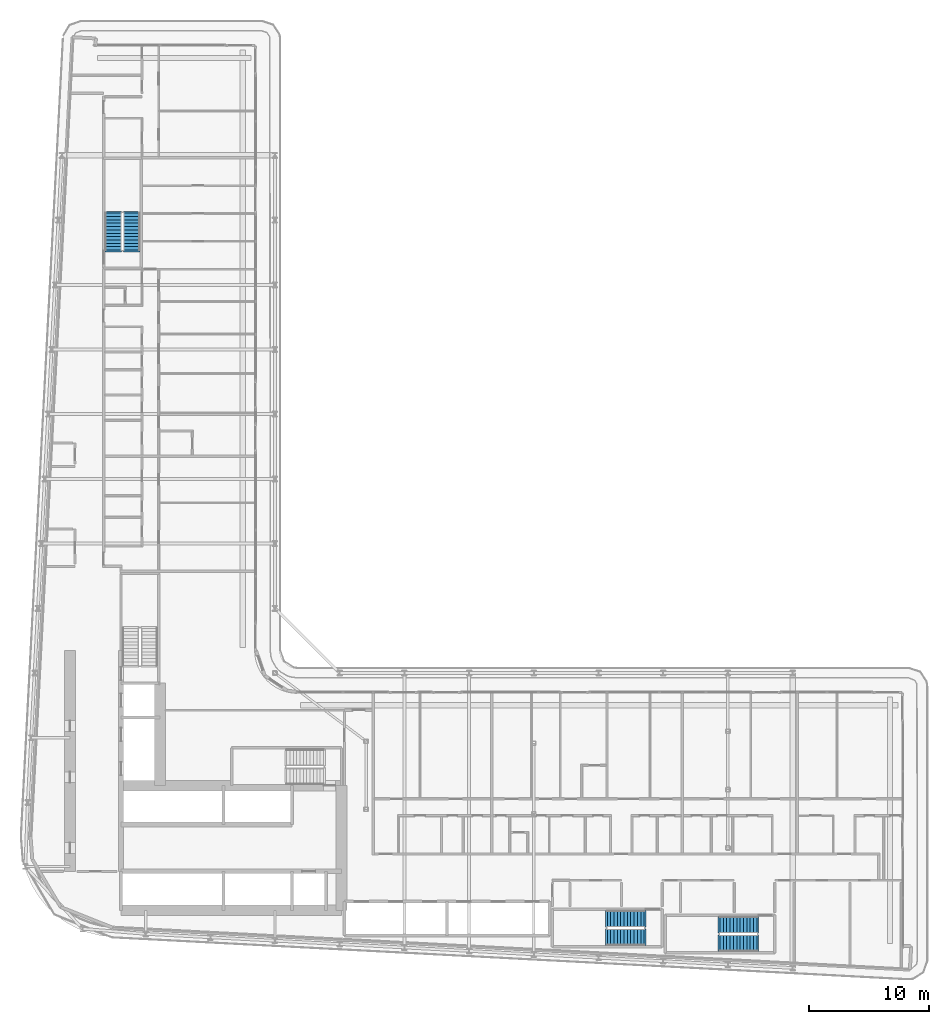
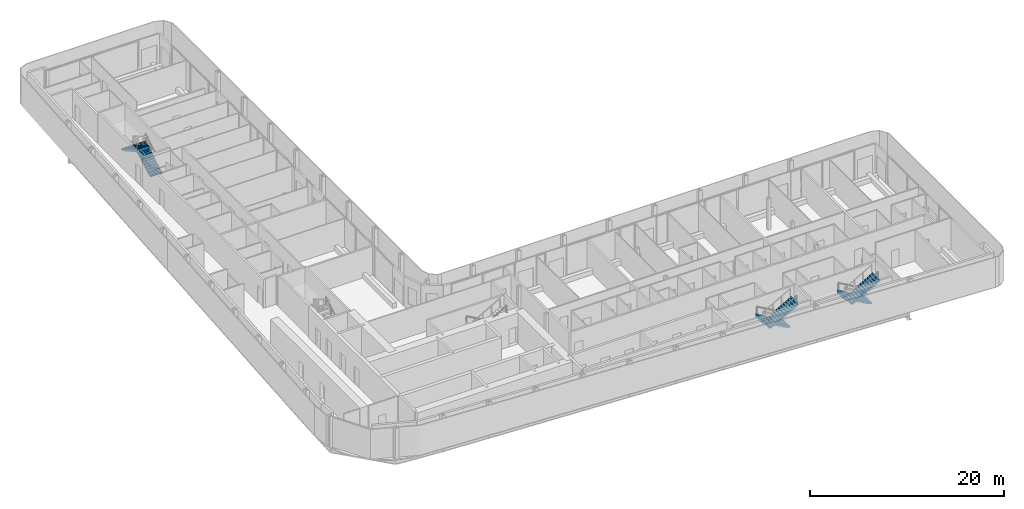
# One storey, part 21 of 28: 6 stair flights, 3 elements without a shape of their own.
"""IFC4 building model written with IfcOpenShell, lengths in metres."""

import ifcopenshell
import ifcopenshell.guid

model = None  # the IFC model being written
_history = None  # IfcOwnerHistory: only IFC2X3 demands one
_inside = {}  # id of a spatial element -> (the spatial element, [elements in it])
_under = {}  # id of a project, library or spatial element -> (it, [spatial elements below it])
_declared = {}  # id of a project -> (the project, [libraries it declares])
_typed = {}  # id of a type object -> (the type object, [elements of that type])
_made_of = {}  # id of a material, layer set ... -> (it, [elements and type objects made of it])


def new_model(schema):
    """Start an empty IFC model of exactly this schema.

    Asked for "IFC4X3", IfcOpenShell would pick the latest addendum, in which some entities
    have other attributes; the version numbers below select the first issue.
    IFC2X3 requires an IfcOwnerHistory on every rooted entity: one is made here for all.
    """
    global model, _history
    if schema == "IFC4X3":
        model = ifcopenshell.file(schema_version=(4, 3, 0, 0))
    else:
        model = ifcopenshell.file(schema=schema)
    _inside.clear()
    _under.clear()
    _declared.clear()
    _typed.clear()
    _made_of.clear()
    _history = None
    if model.schema == "IFC2X3":
        org = make("IfcOrganization", Name="unknown")
        user = make(
            "IfcPersonAndOrganization",
            ThePerson=make("IfcPerson", FamilyName="unknown"),
            TheOrganization=org,
        )
        app = make(
            "IfcApplication",
            ApplicationDeveloper=org,
            Version="unknown",
            ApplicationFullName="unknown",
            ApplicationIdentifier="unknown",
        )
        _history = make(
            "IfcOwnerHistory",
            OwningUser=user,
            OwningApplication=app,
            ChangeAction="ADDED",
            CreationDate=0,
        )
    return model


def make(cls, **values):
    """One entity of the class cls with the attributes given. An attribute that is None is left unset."""
    return model.create_entity(
        cls, **{name: value for name, value in values.items() if value is not None}
    )


def rooted(cls, **values):
    """An entity with a GlobalId (a new one), such as an element, a storey or a relation."""
    return make(cls, GlobalId=ifcopenshell.guid.new(), OwnerHistory=_history, **values)


def si_unit(unit_type, name, prefix=None):
    """IfcSIUnit, for example si_unit("LENGTHUNIT", "METRE", prefix="MILLI")."""
    return make("IfcSIUnit", UnitType=unit_type, Prefix=prefix, Name=name)


def assignment(units):
    """IfcUnitAssignment: the units of a project."""
    return None if units is None else make("IfcUnitAssignment", Units=units)


def point(xyz):
    """IfcCartesianPoint."""
    return None if xyz is None else make("IfcCartesianPoint", Coordinates=xyz)


def direction(xyz):
    """IfcDirection."""
    return None if xyz is None else make("IfcDirection", DirectionRatios=xyz)


def frame(location, z_axis=None, x_axis=None):
    """IfcAxis2Placement3D, a coordinate frame: its origin and axes. An axis left out is left unset."""
    return make(
        "IfcAxis2Placement3D",
        Location=point(location),
        Axis=direction(z_axis),
        RefDirection=direction(x_axis),
    )


def origin():
    """The frame at (0, 0, 0) with its axes left unset."""
    return frame((0.0, 0.0, 0.0))


def place(relative_to, where):
    """IfcLocalPlacement: puts the frame where relative to a parent placement (None: the world)."""
    return make(
        "IfcLocalPlacement", PlacementRelTo=relative_to, RelativePlacement=where
    )


def context(
    kind, dimensions, precision=None, world=None, true_north=None, identifier=None
):
    """IfcGeometricRepresentationContext, for example the 3D "Model" context."""
    return make(
        "IfcGeometricRepresentationContext",
        ContextIdentifier=identifier,
        ContextType=kind,
        CoordinateSpaceDimension=dimensions,
        Precision=precision,
        WorldCoordinateSystem=world,
        TrueNorth=true_north,
    )


def subcontext(parent, identifier, kind, view, scale=None):
    """IfcGeometricRepresentationSubContext, for example "Body" below "Model"."""
    return make(
        "IfcGeometricRepresentationSubContext",
        ContextIdentifier=identifier,
        ContextType=kind,
        ParentContext=parent,
        TargetScale=scale,
        TargetView=view,
    )


def project(units=None, contexts=None):
    """IfcProject with its units and contexts."""
    return rooted(
        "IfcProject",
        Name="project",
        RepresentationContexts=contexts,
        UnitsInContext=assignment(units),
    )


def spatial(cls, under=None, at=None, **own):
    """A site, building, storey or space (cls), placed at a placement, below another one or the project."""
    s = rooted(cls, ObjectPlacement=at, **own)
    if under is not None:
        _under.setdefault(under.id(), (under, []))[1].append(s)
    return s


def polyline(points):
    """IfcPolyline through the points."""
    return make("IfcPolyline", Points=[point(p) for p in points])


def outline(outer, holes=None, kind="AREA"):
    """IfcArbitraryClosedProfileDef: a profile drawn as a closed curve; with holes, ...WithVoids."""
    if holes is None:
        return make("IfcArbitraryClosedProfileDef", ProfileType=kind, OuterCurve=outer)
    return make(
        "IfcArbitraryProfileDefWithVoids",
        ProfileType=kind,
        OuterCurve=outer,
        InnerCurves=holes,
    )


def extrude(swept, where, along, depth):
    """IfcExtrudedAreaSolid: the profile swept, set in the frame where, extruded along a direction by depth."""
    return make(
        "IfcExtrudedAreaSolid",
        SweptArea=swept,
        Position=where,
        ExtrudedDirection=direction(along),
        Depth=depth,
    )


def shape(context_of_items, identifier, shape_type, items):
    """IfcShapeRepresentation: the items that make up one representation, for example the "Body"."""
    return make(
        "IfcShapeRepresentation",
        ContextOfItems=context_of_items,
        RepresentationIdentifier=identifier,
        RepresentationType=shape_type,
        Items=items,
    )


def material(Name=None, Category=None):
    """IfcMaterial."""
    return make("IfcMaterial", Name=Name, Category=Category)


def layer(
    of_material, thickness, ventilated=None, Name=None, Category=None, Priority=None
):
    """IfcMaterialLayer: one layer of a wall or slab, of a material (None: an air gap)."""
    return make(
        "IfcMaterialLayer",
        Material=of_material,
        LayerThickness=thickness,
        IsVentilated=ventilated,
        Name=Name,
        Category=Category,
        Priority=Priority,
    )


def layer_set(layers, Name=None):
    """IfcMaterialLayerSet."""
    return make("IfcMaterialLayerSet", MaterialLayers=layers, LayerSetName=Name)


def made_of(thing, what):
    """Note that an element or type object is made of a material, layer set ...; save() writes the relation."""
    if what is not None:
        _made_of.setdefault(what.id(), (what, []))[1].append(thing)
    return thing


def type_object(cls, material=None, **own):
    """A type object (cls), such as IfcWallType, which elements share."""
    return made_of(rooted(cls, **own), material)


def element(
    cls,
    number,
    at=None,
    inside=None,
    cuts=None,
    type_object=None,
    material=None,
    context=None,
    identifier="Body",
    shape_type=None,
    held_by="IfcProductDefinitionShape",
    body=None,
    shapes=None,
    **own,
):
    """One element of the class cls, such as IfcWall. Its Tag is "e" and its number.

    at: its placement. inside: the storey or other place that contains it. cuts: it is an
    opening in that element (IfcRelVoidsElement). A single representation is given by context,
    identifier, shape_type and body (its items); several are given by shapes. held_by: the class
    of the entity that holds the representations. save() writes the other relations.
    """
    e = rooted(cls, Tag="e%d" % number, ObjectPlacement=at, **own)
    if body is not None:
        shapes = [shape(context, identifier, shape_type, body)]
    if shapes is not None:
        e.Representation = make(held_by, Representations=shapes)
    if inside is not None:
        _inside.setdefault(inside.id(), (inside, []))[1].append(e)
    if cuts is not None:
        rooted(
            "IfcRelVoidsElement", RelatingBuildingElement=cuts, RelatedOpeningElement=e
        )
    if type_object is not None:
        _typed.setdefault(type_object.id(), (type_object, []))[1].append(e)
    return made_of(e, material)


def aggregate(whole, parts):
    """IfcRelAggregates: a whole, such as a stair, and the parts it consists of."""
    return rooted("IfcRelAggregates", RelatingObject=whole, RelatedObjects=parts)


def save(model, path):
    """Write the relations noted so far, then the file.

    IfcRelAggregates (storeys below a building ...), IfcRelContainedInSpatialStructure (elements
    in a storey), IfcRelDefinesByType, IfcRelAssociatesMaterial and IfcRelDeclares: one each for
    every whole, place, type object, material and project.
    """
    for whole, parts in _under.values():
        aggregate(whole, parts)
    for where, things in _inside.values():
        rooted(
            "IfcRelContainedInSpatialStructure",
            RelatedElements=things,
            RelatingStructure=where,
        )
    for kind, things in _typed.values():
        rooted("IfcRelDefinesByType", RelatedObjects=things, RelatingType=kind)
    for what, things in _made_of.values():
        rooted("IfcRelAssociatesMaterial", RelatedObjects=things, RelatingMaterial=what)
    for by, libraries in _declared.values():
        rooted("IfcRelDeclares", RelatingContext=by, RelatedDefinitions=libraries)
    model.write(path)


model = new_model("IFC4")

# Units and contexts
model_context = context("Model", 3, precision=1e-05, world=origin(), true_north=direction((0.0, 1.0)))
body_context = subcontext(model_context, "Body", "Model", "MODEL_VIEW")
ifc_project = project(units=[si_unit("LENGTHUNIT", "METRE"), si_unit("AREAUNIT", "SQUARE_METRE"), si_unit("VOLUMEUNIT", "CUBIC_METRE"), si_unit("PLANEANGLEUNIT", "RADIAN"), si_unit("MASSUNIT", "GRAM", prefix="KILO")], contexts=[model_context])

# Site, building, storey
site_placement = place(None, origin())
site = spatial("IfcSite", under=ifc_project, at=site_placement, CompositionType="ELEMENT")
building_placement = place(site_placement, origin())
building = spatial("IfcBuilding", under=site, at=building_placement, Name="Kheshtan School and Residences Tower", CompositionType="ELEMENT")
storey_placement = place(building_placement, frame((0.0, 0.0, 133.10009765625)))
storey = spatial("IfcBuildingStorey", under=building, at=storey_placement, Name="L31", CompositionType="ELEMENT", Elevation=133.10009765625)

# Stair, stair flights
ifc_material = material(Name="Concrete C40/50", Category="concrete")
stair_type = type_object("IfcStairType", Name="Exit stair, half-turn", PredefinedType="HALF_TURN_STAIR", material=ifc_material)
stair_1_placement = place(storey_placement, origin())
stair_1 = element("IfcStair", 1, at=stair_1_placement, inside=storey, type_object=stair_type, Name="L31 Protected Exit Stair ST3", PredefinedType="HALF_TURN_STAIR")
ifc_layer = layer(ifc_material, 0.14990234375)
ifc_layer_set = layer_set([ifc_layer], Name="Stair flight 1400 Concrete C40/50")
stair_flight_type = type_object("IfcStairFlightType", Name="Stair flight 1400 Concrete C40/50", PredefinedType="STRAIGHT", material=ifc_layer_set)
stair_flight_1_placement = place(storey_placement, frame((35.64990234375, 80.89990234375, 0.0), z_axis=(0.0, 0.0, 1.0), x_axis=(0.0, 1.0, 0.0)))
stair_flight_1 = element("IfcStairFlight", 2, at=stair_flight_1_placement, type_object=stair_flight_type, Name="ST3 flight 1", NumberOfRisers=12, NumberOfTreads=11, PredefinedType="STRAIGHT", RiserHeight=0.1625, TreadLength=0.28, context=body_context, shape_type="SweptSolid", body=[
    extrude(outline(polyline([(-0.14990234375, -0.10009765625), (-0.14990234375, 0.0), (0.0, 0.0), (0.0, 0.16259765625), (0.280029296875, 0.16259765625), (0.280029296875, 0.324951171875), (0.56005859375, 0.324951171875), (0.56005859375, 0.487548828125), (0.840087890625, 0.487548828125), (0.840087890625, 0.64990234375), (1.1201171875, 0.64990234375), (1.1201171875, 0.8125), (1.39990234375, 0.8125), (1.39990234375, 0.97509765625), (1.679931640625, 0.97509765625), (1.679931640625, 1.137451171875), (1.9599609375, 1.137451171875), (1.9599609375, 1.300048828125), (2.239990234375, 1.300048828125), (2.239990234375, 1.46240234375), (2.52001953125, 1.46240234375), (2.52001953125, 1.625), (2.800048828125, 1.625), (2.800048828125, 1.78759765625), (3.080078125, 1.78759765625), (3.080078125, 1.949951171875), (3.080078125, 1.969970703125), (3.22998046875, 1.969970703125), (3.22998046875, 1.6142578125), (0.298583984375, 0.0), (-0.14990234375, -0.10009765625)])), frame((0.0, 0.699951171875, 0.0), z_axis=(0.0, -1.0, 0.0), x_axis=(1.0, 0.0, 0.0)), (0.0, 0.0, 1.0), 1.39990234375),
])
stair_flight_2_placement = place(storey_placement, frame((34.10009765625, 83.97998046875, 1.949951171875), z_axis=(0.0, 0.0, 1.0), x_axis=(0.0, -1.0, 0.0)))
stair_flight_2 = element("IfcStairFlight", 3, at=stair_flight_2_placement, type_object=stair_flight_type, Name="ST3 flight 2", NumberOfRisers=12, NumberOfTreads=11, PredefinedType="STRAIGHT", RiserHeight=0.1625, TreadLength=0.28, context=body_context, shape_type="SweptSolid", body=[
    extrude(outline(polyline([(-0.14990234375, -0.10009765625), (-0.14990234375, 0.0), (0.0, 0.0), (0.0, 0.16259765625), (0.280029296875, 0.16259765625), (0.280029296875, 0.324951171875), (0.56005859375, 0.324951171875), (0.56005859375, 0.487548828125), (0.840087890625, 0.487548828125), (0.840087890625, 0.64990234375), (1.1201171875, 0.64990234375), (1.1201171875, 0.8125), (1.39990234375, 0.8125), (1.39990234375, 0.97509765625), (1.679931640625, 0.97509765625), (1.679931640625, 1.137451171875), (1.9599609375, 1.137451171875), (1.9599609375, 1.300048828125), (2.239990234375, 1.300048828125), (2.239990234375, 1.46240234375), (2.52001953125, 1.46240234375), (2.52001953125, 1.625), (2.800048828125, 1.625), (2.800048828125, 1.78759765625), (3.080078125, 1.78759765625), (3.080078125, 1.949951171875), (3.080078125, 1.969970703125), (3.22998046875, 1.969970703125), (3.22998046875, 1.6142578125), (0.298583984375, 0.0), (-0.14990234375, -0.10009765625)])), frame((0.0, 0.699951171875, 0.0), z_axis=(0.0, -1.0, 0.0), x_axis=(1.0, 0.0, 0.0)), (0.0, 0.0, 1.0), 1.39990234375),
])
aggregate(stair_1, [stair_flight_1, stair_flight_2])

stair_2_placement = place(storey_placement, origin())
stair_2 = element("IfcStair", 4, at=stair_2_placement, inside=storey, type_object=stair_type, Name="L31 Protected Exit Stair ST4", PredefinedType="HALF_TURN_STAIR")
stair_flight_3_placement = place(storey_placement, frame((87.820068359375, 24.60009765625, 0.0), z_axis=(0.0, 0.0, 1.0), x_axis=(-1.0, 0.0, 0.0)))
stair_flight_3 = element("IfcStairFlight", 5, at=stair_flight_3_placement, type_object=stair_flight_type, Name="ST4 flight 1", NumberOfRisers=12, NumberOfTreads=11, PredefinedType="STRAIGHT", RiserHeight=0.1625, TreadLength=0.28, context=body_context, shape_type="SweptSolid", body=[
    extrude(outline(polyline([(-0.14990234375, -0.10009765625), (-0.14990234375, 0.0), (0.0, 0.0), (0.0, 0.16259765625), (0.280029296875, 0.16259765625), (0.280029296875, 0.324951171875), (0.56005859375, 0.324951171875), (0.56005859375, 0.487548828125), (0.840087890625, 0.487548828125), (0.840087890625, 0.64990234375), (1.1201171875, 0.64990234375), (1.1201171875, 0.8125), (1.39990234375, 0.8125), (1.39990234375, 0.97509765625), (1.679931640625, 0.97509765625), (1.679931640625, 1.137451171875), (1.9599609375, 1.137451171875), (1.9599609375, 1.300048828125), (2.239990234375, 1.300048828125), (2.239990234375, 1.46240234375), (2.52001953125, 1.46240234375), (2.52001953125, 1.625), (2.800048828125, 1.625), (2.800048828125, 1.78759765625), (3.080078125, 1.78759765625), (3.080078125, 1.949951171875), (3.080078125, 1.969970703125), (3.22998046875, 1.969970703125), (3.22998046875, 1.6142578125), (0.298583984375, 0.0), (-0.14990234375, -0.10009765625)])), frame((0.0, 0.699951171875, 0.0), z_axis=(0.0, -1.0, 0.0), x_axis=(1.0, 0.0, 0.0)), (0.0, 0.0, 1.0), 1.39990234375),
])
stair_flight_4_placement = place(storey_placement, frame((84.739990234375, 23.050048828125, 1.949951171875), z_axis=(0.0, 0.0, 1.0), x_axis=(1.0, 0.0, 0.0)))
stair_flight_4 = element("IfcStairFlight", 6, at=stair_flight_4_placement, type_object=stair_flight_type, Name="ST4 flight 2", NumberOfRisers=12, NumberOfTreads=11, PredefinedType="STRAIGHT", RiserHeight=0.1625, TreadLength=0.28, context=body_context, shape_type="SweptSolid", body=[
    extrude(outline(polyline([(-0.14990234375, -0.10009765625), (-0.14990234375, 0.0), (0.0, 0.0), (0.0, 0.16259765625), (0.280029296875, 0.16259765625), (0.280029296875, 0.324951171875), (0.56005859375, 0.324951171875), (0.56005859375, 0.487548828125), (0.840087890625, 0.487548828125), (0.840087890625, 0.64990234375), (1.1201171875, 0.64990234375), (1.1201171875, 0.8125), (1.39990234375, 0.8125), (1.39990234375, 0.97509765625), (1.679931640625, 0.97509765625), (1.679931640625, 1.137451171875), (1.9599609375, 1.137451171875), (1.9599609375, 1.300048828125), (2.239990234375, 1.300048828125), (2.239990234375, 1.46240234375), (2.52001953125, 1.46240234375), (2.52001953125, 1.625), (2.800048828125, 1.625), (2.800048828125, 1.78759765625), (3.080078125, 1.78759765625), (3.080078125, 1.949951171875), (3.080078125, 1.969970703125), (3.22998046875, 1.969970703125), (3.22998046875, 1.6142578125), (0.298583984375, 0.0), (-0.14990234375, -0.10009765625)])), frame((0.0, 0.699951171875, 0.0), z_axis=(0.0, -1.0, 0.0), x_axis=(1.0, 0.0, 0.0)), (0.0, 0.0, 1.0), 1.39990234375),
])
aggregate(stair_2, [stair_flight_3, stair_flight_4])

stair_3_placement = place(storey_placement, origin())
stair_3 = element("IfcStair", 7, at=stair_3_placement, inside=storey, type_object=stair_type, Name="L31 Protected Exit Stair ST5", PredefinedType="HALF_TURN_STAIR")
stair_flight_5_placement = place(storey_placement, frame((78.409912109375, 25.10009765625, 0.0), z_axis=(0.0, 0.0, 1.0), x_axis=(-1.0, 0.0, 0.0)))
stair_flight_5 = element("IfcStairFlight", 8, at=stair_flight_5_placement, type_object=stair_flight_type, Name="ST5 flight 1", NumberOfRisers=12, NumberOfTreads=11, PredefinedType="STRAIGHT", RiserHeight=0.1625, TreadLength=0.28, context=body_context, shape_type="SweptSolid", body=[
    extrude(outline(polyline([(-0.14990234375, -0.10009765625), (-0.14990234375, 0.0), (0.0, 0.0), (0.0, 0.16259765625), (0.280029296875, 0.16259765625), (0.280029296875, 0.324951171875), (0.56005859375, 0.324951171875), (0.56005859375, 0.487548828125), (0.840087890625, 0.487548828125), (0.840087890625, 0.64990234375), (1.1201171875, 0.64990234375), (1.1201171875, 0.8125), (1.39990234375, 0.8125), (1.39990234375, 0.97509765625), (1.679931640625, 0.97509765625), (1.679931640625, 1.137451171875), (1.9599609375, 1.137451171875), (1.9599609375, 1.300048828125), (2.239990234375, 1.300048828125), (2.239990234375, 1.46240234375), (2.52001953125, 1.46240234375), (2.52001953125, 1.625), (2.800048828125, 1.625), (2.800048828125, 1.78759765625), (3.080078125, 1.78759765625), (3.080078125, 1.949951171875), (3.080078125, 1.969970703125), (3.22998046875, 1.969970703125), (3.22998046875, 1.6142578125), (0.298583984375, 0.0), (-0.14990234375, -0.10009765625)])), frame((0.0, 0.699951171875, 0.0), z_axis=(0.0, -1.0, 0.0), x_axis=(1.0, 0.0, 0.0)), (0.0, 0.0, 1.0), 1.39990234375),
])
stair_flight_6_placement = place(storey_placement, frame((75.330078125, 23.550048828125, 1.949951171875), z_axis=(0.0, 0.0, 1.0), x_axis=(1.0, 0.0, 0.0)))
stair_flight_6 = element("IfcStairFlight", 9, at=stair_flight_6_placement, type_object=stair_flight_type, Name="ST5 flight 2", NumberOfRisers=12, NumberOfTreads=11, PredefinedType="STRAIGHT", RiserHeight=0.1625, TreadLength=0.28, context=body_context, shape_type="SweptSolid", body=[
    extrude(outline(polyline([(-0.14990234375, -0.10009765625), (-0.14990234375, 0.0), (0.0, 0.0), (0.0, 0.16259765625), (0.280029296875, 0.16259765625), (0.280029296875, 0.324951171875), (0.56005859375, 0.324951171875), (0.56005859375, 0.487548828125), (0.840087890625, 0.487548828125), (0.840087890625, 0.64990234375), (1.1201171875, 0.64990234375), (1.1201171875, 0.8125), (1.39990234375, 0.8125), (1.39990234375, 0.97509765625), (1.679931640625, 0.97509765625), (1.679931640625, 1.137451171875), (1.9599609375, 1.137451171875), (1.9599609375, 1.300048828125), (2.239990234375, 1.300048828125), (2.239990234375, 1.46240234375), (2.52001953125, 1.46240234375), (2.52001953125, 1.625), (2.800048828125, 1.625), (2.800048828125, 1.78759765625), (3.080078125, 1.78759765625), (3.080078125, 1.949951171875), (3.080078125, 1.969970703125), (3.22998046875, 1.969970703125), (3.22998046875, 1.6142578125), (0.298583984375, 0.0), (-0.14990234375, -0.10009765625)])), frame((0.0, 0.699951171875, 0.0), z_axis=(0.0, -1.0, 0.0), x_axis=(1.0, 0.0, 0.0)), (0.0, 0.0, 1.0), 1.39990234375),
])
aggregate(stair_3, [stair_flight_5, stair_flight_6])

save(model, "model.ifc")
